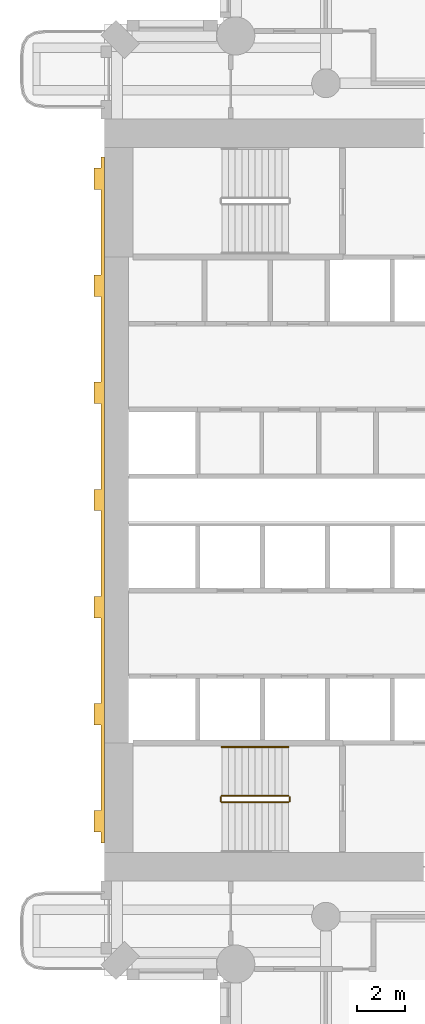
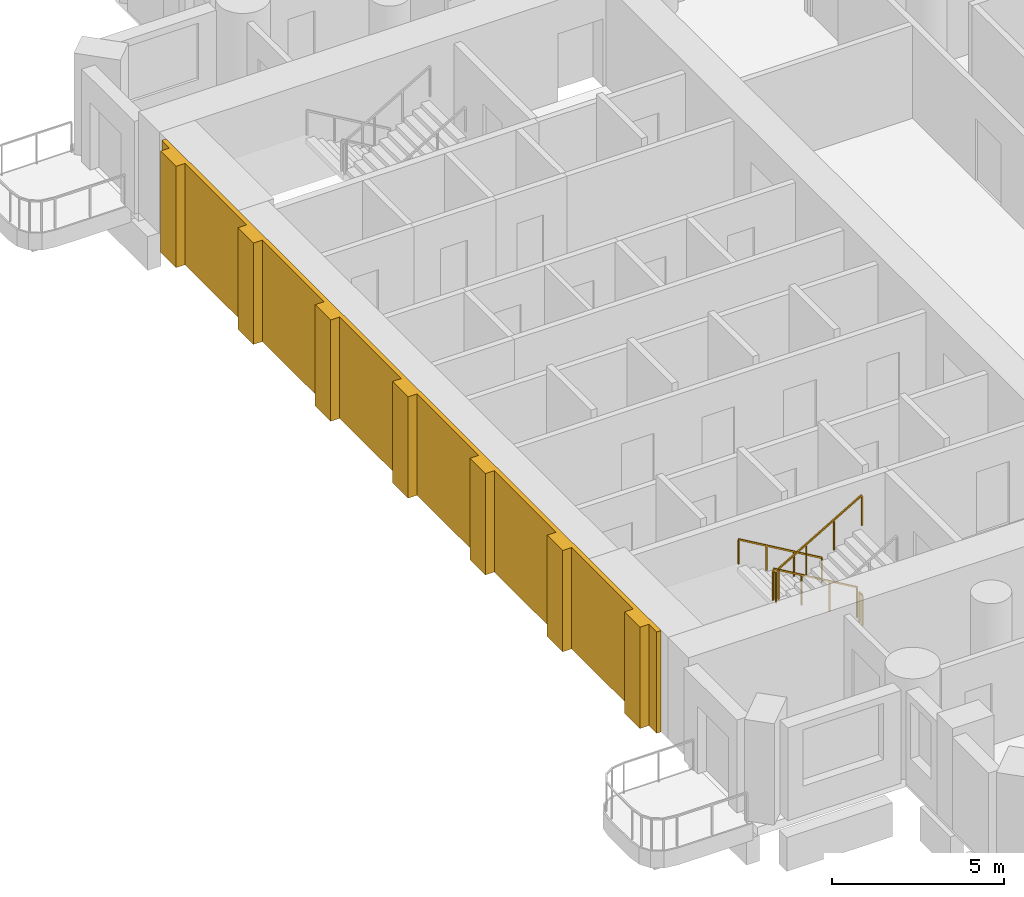
# One storey, part 14 of 20: 5 railings, 1 covering.
"""IFC4 building model written with IfcOpenShell, lengths in metres."""

from ifc_helpers import new_model, si_unit, direction, frame, origin, origin_2d, place, context, subcontext, project, spatial, polyline, rectangle, outline, extrude, material, layer, layer_set, type_object, element, save


model = new_model("IFC4")

# Units and contexts
model_context = context("Model", 3, precision=1e-05, world=origin(), true_north=direction((0.0, 1.0)))
body_context = subcontext(model_context, "Body", "Model", "MODEL_VIEW")
ifc_project = project(units=[si_unit("LENGTHUNIT", "METRE"), si_unit("AREAUNIT", "SQUARE_METRE"), si_unit("VOLUMEUNIT", "CUBIC_METRE"), si_unit("PLANEANGLEUNIT", "RADIAN"), si_unit("MASSUNIT", "GRAM", prefix="KILO")], contexts=[model_context])

# Site, building, storey
site_placement = place(None, origin())
site = spatial("IfcSite", under=ifc_project, at=site_placement, CompositionType="ELEMENT")
building_placement = place(site_placement, origin())
building = spatial("IfcBuilding", under=site, at=building_placement, Name="Cypress Arch Tower", CompositionType="ELEMENT")
storey_placement = place(building_placement, frame((0.0, 0.0, 77.10009765625)))
storey = spatial("IfcBuildingStorey", under=building, at=storey_placement, Name="L13", CompositionType="ELEMENT", Elevation=77.10009765625)

# Railings
ifc_material_1 = material(Name="Black powder-coated steel square bar 48 mm", Category="steel")
railing_type_1 = type_object("IfcRailingType", Name="Stair handrail HR1", PredefinedType="HANDRAIL", material=ifc_material_1)
railing_1_placement = place(storey_placement, frame((-22.27490234375, -10.375, 0.16357421875)))
element("IfcRailing", 1, at=railing_1_placement, inside=storey, type_object=railing_type_1, Name="L13 A stair handrail 1", PredefinedType="HANDRAIL", context=body_context, shape_type="SweptSolid", body=[
    extrude(rectangle(XDim=0.048095703125, YDim=0.048095703125, at=origin_2d()), frame((0.0, 0.0, 0.8759765625), z_axis=(-0.863393664356, 0.0, 0.504530851732), x_axis=(0.0, -1.0, 0.0)), (0.0, 0.0, 1.0), 3.2431640625),
    extrude(rectangle(XDim=0.0419921875, YDim=0.0419921875, at=origin_2d()), origin(), (0.0, 0.0, 1.0), 0.851806640625),
    extrude(rectangle(XDim=0.0419921875, YDim=0.0419921875, at=origin_2d()), frame((-0.933349609375, 0.0, 0.54541015625)), (0.0, 0.0, 1.0), 0.851806640625),
    extrude(rectangle(XDim=0.0419921875, YDim=0.0419921875, at=origin_2d()), frame((-1.86669921875, 0.0, 1.0908203125)), (0.0, 0.0, 1.0), 0.851806640625),
    extrude(rectangle(XDim=0.0419921875, YDim=0.0419921875, at=origin_2d()), frame((-2.800048828125, 0.0, 1.63623046875)), (0.0, 0.0, 1.0), 0.851806640625),
])
ifc_material_2 = material(Name="Black powder-coated steel balusters", Category="steel")
railing_type_2 = type_object("IfcRailingType", Name="Stair well guard G1", PredefinedType="GUARDRAIL", material=ifc_material_2)
railing_2_placement = place(storey_placement, frame((-22.27490234375, -12.425048828125, 0.16357421875)))
element("IfcRailing", 2, at=railing_2_placement, inside=storey, type_object=railing_type_2, Name="L13 A stair guard 1", PredefinedType="GUARDRAIL", context=body_context, shape_type="SweptSolid", body=[
    extrude(rectangle(XDim=0.048095703125, YDim=0.048095703125, at=origin_2d()), frame((0.0, 0.0, 1.076171875), z_axis=(-0.863393664356, 0.0, 0.504530851732), x_axis=(0.0, -1.0, 0.0)), (0.0, 0.0, 1.0), 3.2431640625),
    extrude(rectangle(XDim=0.0419921875, YDim=0.0419921875, at=origin_2d()), origin(), (0.0, 0.0, 1.0), 1.052001953125),
    extrude(rectangle(XDim=0.0419921875, YDim=0.0419921875, at=origin_2d()), frame((-0.933349609375, 0.0, 0.54541015625)), (0.0, 0.0, 1.0), 1.052001953125),
    extrude(rectangle(XDim=0.0419921875, YDim=0.0419921875, at=origin_2d()), frame((-1.86669921875, 0.0, 1.0908203125)), (0.0, 0.0, 1.0), 1.052001953125),
    extrude(rectangle(XDim=0.0419921875, YDim=0.0419921875, at=origin_2d()), frame((-2.800048828125, 0.0, 1.63623046875)), (0.0, 0.0, 1.0), 1.052001953125),
])
railing_3_placement = place(storey_placement, frame((-25.125, -12.47509765625, 1.7998046875)))
element("IfcRailing", 3, at=railing_3_placement, inside=storey, type_object=railing_type_2, Name="L13 A stair guard 2", PredefinedType="GUARDRAIL", context=body_context, shape_type="SweptSolid", body=[
    extrude(rectangle(XDim=0.048095703125, YDim=0.048095703125, at=origin_2d()), frame((0.0, 0.0, 1.076171875), z_axis=(0.0, -1.0, 0.0), x_axis=(1.0, 0.0, 0.0)), (0.0, 0.0, 1.0), 0.1748046875),
    extrude(rectangle(XDim=0.0419921875, YDim=0.0419921875, at=origin_2d()), origin(), (0.0, 0.0, 1.0), 1.052001953125),
    extrude(rectangle(XDim=0.0419921875, YDim=0.0419921875, at=origin_2d()), frame((0.0, -0.1748046875, 0.0)), (0.0, 0.0, 1.0), 1.052001953125),
])
railing_4_placement = place(storey_placement, frame((-25.074951171875, -12.699951171875, 1.963623046875)))
element("IfcRailing", 4, at=railing_4_placement, inside=storey, type_object=railing_type_2, Name="L13 A stair guard 3", PredefinedType="GUARDRAIL", context=body_context, shape_type="SweptSolid", body=[
    extrude(rectangle(XDim=0.048095703125, YDim=0.048095703125, at=origin_2d()), frame((0.0, 0.0, 1.076171875), z_axis=(0.863393664356, 0.0, 0.504530851732), x_axis=(0.0, 1.0, 0.0)), (0.0, 0.0, 1.0), 3.2431640625),
    extrude(rectangle(XDim=0.0419921875, YDim=0.0419921875, at=origin_2d()), origin(), (0.0, 0.0, 1.0), 1.052001953125),
    extrude(rectangle(XDim=0.0419921875, YDim=0.0419921875, at=origin_2d()), frame((0.933349609375, 0.0, 0.54541015625)), (0.0, 0.0, 1.0), 1.052001953125),
    extrude(rectangle(XDim=0.0419921875, YDim=0.0419921875, at=origin_2d()), frame((1.86669921875, 0.0, 1.0908203125)), (0.0, 0.0, 1.0), 1.052001953125),
    extrude(rectangle(XDim=0.0419921875, YDim=0.0419921875, at=origin_2d()), frame((2.800048828125, 0.0, 1.63623046875)), (0.0, 0.0, 1.0), 1.052001953125),
])
railing_5_placement = place(storey_placement, frame((-22.22509765625, -12.47509765625, 0.0)))
element("IfcRailing", 5, at=railing_5_placement, inside=storey, type_object=railing_type_2, Name="L13 A stair guard 4", PredefinedType="GUARDRAIL", context=body_context, shape_type="SweptSolid", body=[
    extrude(rectangle(XDim=0.048095703125, YDim=0.048095703125, at=origin_2d()), frame((0.0, 0.0, 1.076171875), z_axis=(0.0, -1.0, 0.0), x_axis=(1.0, 0.0, 0.0)), (0.0, 0.0, 1.0), 0.1748046875),
    extrude(rectangle(XDim=0.0419921875, YDim=0.0419921875, at=origin_2d()), origin(), (0.0, 0.0, 1.0), 1.052001953125),
    extrude(rectangle(XDim=0.0419921875, YDim=0.0419921875, at=origin_2d()), frame((0.0, -0.1748046875, 0.0)), (0.0, 0.0, 1.0), 1.052001953125),
])

# Covering
ifc_material_3 = material(Name="Brick (red buff blend)", Category="masonry")
ifc_layer = layer(ifc_material_3, 0.449951171875)
ifc_layer_set = layer_set([ifc_layer], Name="West face brick piers WP450")
covering_type = type_object("IfcCoveringType", Name="West face brick piers WP450", PredefinedType="CLADDING", material=ifc_layer_set)
covering_placement = place(storey_placement, origin())
element("IfcCovering", 6, at=covering_placement, inside=storey, type_object=covering_type, Name="West face brick piers L13", PredefinedType="CLADDING", context=body_context, shape_type="SweptSolid", body=[
    extrude(outline(polyline([(-30.14990234375, -13.050048828125), (-30.14990234375, -9.449951171875), (-30.449951171875, -9.449951171875), (-30.449951171875, -8.550048828125), (-30.14990234375, -8.550048828125), (-30.14990234375, -4.949951171875), (-30.449951171875, -4.949951171875), (-30.449951171875, -4.050048828125), (-30.14990234375, -4.050048828125), (-30.14990234375, -0.449951171875), (-30.449951171875, -0.449951171875), (-30.449951171875, 0.449951171875), (-30.14990234375, 0.449951171875), (-30.14990234375, 4.050048828125), (-30.449951171875, 4.050048828125), (-30.449951171875, 4.949951171875), (-30.14990234375, 4.949951171875), (-30.14990234375, 8.550048828125), (-30.449951171875, 8.550048828125), (-30.449951171875, 9.449951171875), (-30.14990234375, 9.449951171875), (-30.14990234375, 13.050048828125), (-30.449951171875, 13.050048828125), (-30.449951171875, 13.949951171875), (-30.14990234375, 13.949951171875), (-30.14990234375, 14.39990234375), (-30.0, 14.39990234375), (-30.0, -14.39990234375), (-30.14990234375, -14.39990234375), (-30.14990234375, -13.949951171875), (-30.449951171875, -13.949951171875), (-30.449951171875, -13.050048828125), (-30.14990234375, -13.050048828125)])), origin(), (0.0, 0.0, 1.0), 3.599853515625),
])

save(model, "model.ifc")
